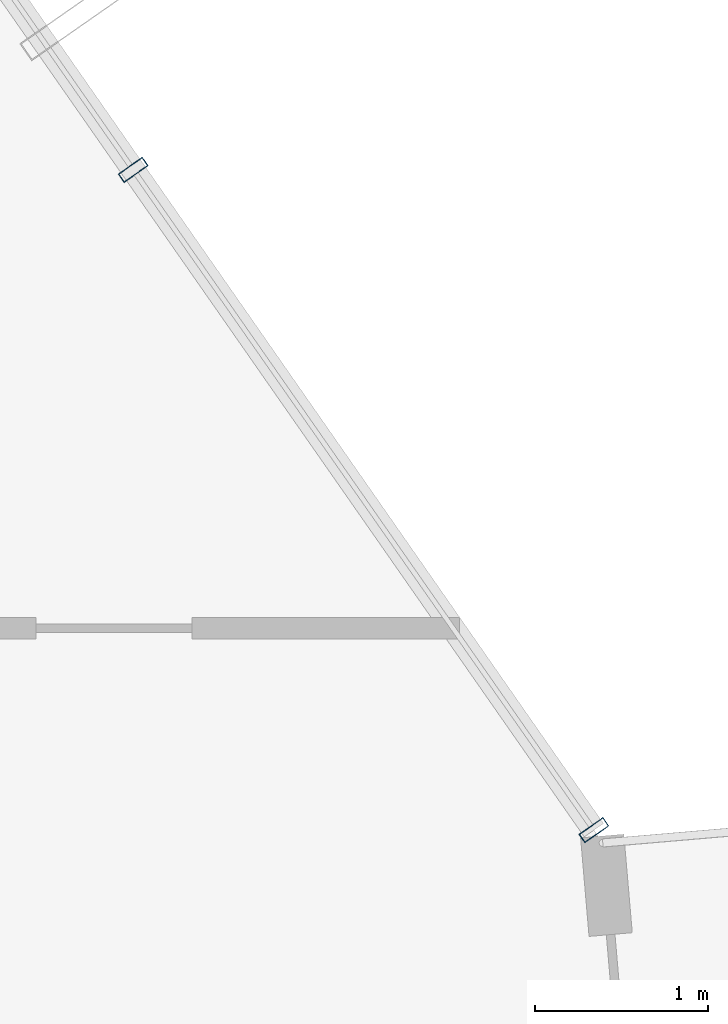
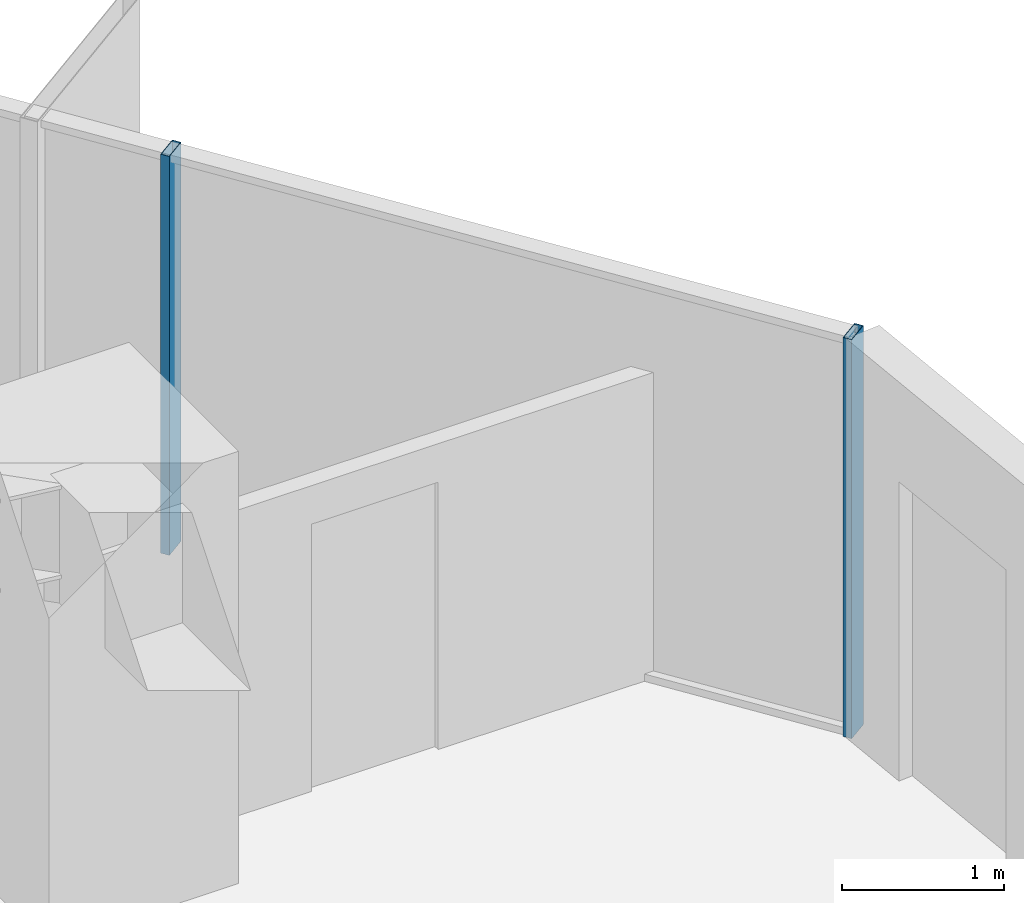
# One storey, part 20 of 37: 2 members, 1 element without a shape of its own.
"""IFC4 building model written with IfcOpenShell, lengths in metres."""

import ifcopenshell
import ifcopenshell.guid

model = None  # the IFC model being written
_history = None  # IfcOwnerHistory: only IFC2X3 demands one
_inside = {}  # id of a spatial element -> (the spatial element, [elements in it])
_under = {}  # id of a project, library or spatial element -> (it, [spatial elements below it])
_declared = {}  # id of a project -> (the project, [libraries it declares])
_typed = {}  # id of a type object -> (the type object, [elements of that type])
_made_of = {}  # id of a material, layer set ... -> (it, [elements and type objects made of it])


def new_model(schema):
    """Start an empty IFC model of exactly this schema.

    Asked for "IFC4X3", IfcOpenShell would pick the latest addendum, in which some entities
    have other attributes; the version numbers below select the first issue.
    IFC2X3 requires an IfcOwnerHistory on every rooted entity: one is made here for all.
    """
    global model, _history
    if schema == "IFC4X3":
        model = ifcopenshell.file(schema_version=(4, 3, 0, 0))
    else:
        model = ifcopenshell.file(schema=schema)
    _inside.clear()
    _under.clear()
    _declared.clear()
    _typed.clear()
    _made_of.clear()
    _history = None
    if model.schema == "IFC2X3":
        org = make("IfcOrganization", Name="unknown")
        user = make(
            "IfcPersonAndOrganization",
            ThePerson=make("IfcPerson", FamilyName="unknown"),
            TheOrganization=org,
        )
        app = make(
            "IfcApplication",
            ApplicationDeveloper=org,
            Version="unknown",
            ApplicationFullName="unknown",
            ApplicationIdentifier="unknown",
        )
        _history = make(
            "IfcOwnerHistory",
            OwningUser=user,
            OwningApplication=app,
            ChangeAction="ADDED",
            CreationDate=0,
        )
    return model


def make(cls, **values):
    """One entity of the class cls with the attributes given. An attribute that is None is left unset."""
    return model.create_entity(
        cls, **{name: value for name, value in values.items() if value is not None}
    )


def rooted(cls, **values):
    """An entity with a GlobalId (a new one), such as an element, a storey or a relation."""
    return make(cls, GlobalId=ifcopenshell.guid.new(), OwnerHistory=_history, **values)


def si_unit(unit_type, name, prefix=None):
    """IfcSIUnit, for example si_unit("LENGTHUNIT", "METRE", prefix="MILLI")."""
    return make("IfcSIUnit", UnitType=unit_type, Prefix=prefix, Name=name)


def assignment(units):
    """IfcUnitAssignment: the units of a project."""
    return None if units is None else make("IfcUnitAssignment", Units=units)


def point(xyz):
    """IfcCartesianPoint."""
    return None if xyz is None else make("IfcCartesianPoint", Coordinates=xyz)


def direction(xyz):
    """IfcDirection."""
    return None if xyz is None else make("IfcDirection", DirectionRatios=xyz)


def frame(location, z_axis=None, x_axis=None):
    """IfcAxis2Placement3D, a coordinate frame: its origin and axes. An axis left out is left unset."""
    return make(
        "IfcAxis2Placement3D",
        Location=point(location),
        Axis=direction(z_axis),
        RefDirection=direction(x_axis),
    )


def frame_2d(location, x_axis=None):
    """IfcAxis2Placement2D, a coordinate frame in the plane: its origin and x axis."""
    return make(
        "IfcAxis2Placement2D", Location=point(location), RefDirection=direction(x_axis)
    )


def origin():
    """The frame at (0, 0, 0) with its axes left unset."""
    return frame((0.0, 0.0, 0.0))


def origin_2d():
    """The frame at (0, 0) in the plane with its x axis left unset."""
    return frame_2d((0.0, 0.0))


def place(relative_to, where):
    """IfcLocalPlacement: puts the frame where relative to a parent placement (None: the world)."""
    return make(
        "IfcLocalPlacement", PlacementRelTo=relative_to, RelativePlacement=where
    )


def context(
    kind, dimensions, precision=None, world=None, true_north=None, identifier=None
):
    """IfcGeometricRepresentationContext, for example the 3D "Model" context."""
    return make(
        "IfcGeometricRepresentationContext",
        ContextIdentifier=identifier,
        ContextType=kind,
        CoordinateSpaceDimension=dimensions,
        Precision=precision,
        WorldCoordinateSystem=world,
        TrueNorth=true_north,
    )


def subcontext(parent, identifier, kind, view, scale=None):
    """IfcGeometricRepresentationSubContext, for example "Body" below "Model"."""
    return make(
        "IfcGeometricRepresentationSubContext",
        ContextIdentifier=identifier,
        ContextType=kind,
        ParentContext=parent,
        TargetScale=scale,
        TargetView=view,
    )


def project(units=None, contexts=None):
    """IfcProject with its units and contexts."""
    return rooted(
        "IfcProject",
        Name="project",
        RepresentationContexts=contexts,
        UnitsInContext=assignment(units),
    )


def spatial(cls, under=None, at=None, **own):
    """A site, building, storey or space (cls), placed at a placement, below another one or the project."""
    s = rooted(cls, ObjectPlacement=at, **own)
    if under is not None:
        _under.setdefault(under.id(), (under, []))[1].append(s)
    return s


def profile(cls, at=None, kind="AREA", **sizes):
    """A parametric profile (cls). Its sizes go by their IFC names, for example OverallWidth=200.0."""
    return make(cls, ProfileType=kind, Position=at, **sizes)


def hollow_rectangle(**sizes):
    """IfcRectangleHollowProfileDef."""
    return profile("IfcRectangleHollowProfileDef", **sizes)


def extrude(swept, where, along, depth):
    """IfcExtrudedAreaSolid: the profile swept, set in the frame where, extruded along a direction by depth."""
    return make(
        "IfcExtrudedAreaSolid",
        SweptArea=swept,
        Position=where,
        ExtrudedDirection=direction(along),
        Depth=depth,
    )


def shape(context_of_items, identifier, shape_type, items):
    """IfcShapeRepresentation: the items that make up one representation, for example the "Body"."""
    return make(
        "IfcShapeRepresentation",
        ContextOfItems=context_of_items,
        RepresentationIdentifier=identifier,
        RepresentationType=shape_type,
        Items=items,
    )


def source(mapping_origin, context_of_items, identifier, shape_type, items):
    """IfcRepresentationMap: a shape defined once, which mapped items show again and again."""
    return make(
        "IfcRepresentationMap",
        MappingOrigin=mapping_origin,
        MappedRepresentation=shape(context_of_items, identifier, shape_type, items),
    )


def transform(
    local_origin,
    x_axis=None,
    y_axis=None,
    z_axis=None,
    scale=None,
    scale2=None,
    scale3=None,
    uniform=True,
):
    """IfcCartesianTransformationOperator3D, or its non-uniform kind. x_axis, y_axis, z_axis: its Axis1, 2, 3."""
    if uniform:
        return make(
            "IfcCartesianTransformationOperator3D",
            Axis1=direction(x_axis),
            Axis2=direction(y_axis),
            LocalOrigin=point(local_origin),
            Scale=scale,
            Axis3=direction(z_axis),
        )
    return make(
        "IfcCartesianTransformationOperator3DnonUniform",
        Axis1=direction(x_axis),
        Axis2=direction(y_axis),
        LocalOrigin=point(local_origin),
        Scale=scale,
        Axis3=direction(z_axis),
        Scale2=scale2,
        Scale3=scale3,
    )


def mapped(mapping_source, mapping_target):
    """IfcMappedItem: shows the shape of a source again, moved by a transform."""
    return make(
        "IfcMappedItem", MappingSource=mapping_source, MappingTarget=mapping_target
    )


def material(Name=None, Category=None):
    """IfcMaterial."""
    return make("IfcMaterial", Name=Name, Category=Category)


def layer(
    of_material, thickness, ventilated=None, Name=None, Category=None, Priority=None
):
    """IfcMaterialLayer: one layer of a wall or slab, of a material (None: an air gap)."""
    return make(
        "IfcMaterialLayer",
        Material=of_material,
        LayerThickness=thickness,
        IsVentilated=ventilated,
        Name=Name,
        Category=Category,
        Priority=Priority,
    )


def layer_set(layers, Name=None):
    """IfcMaterialLayerSet."""
    return make("IfcMaterialLayerSet", MaterialLayers=layers, LayerSetName=Name)


def material_profile(
    of_material, cross_section, Name=None, Category=None, Priority=None
):
    """IfcMaterialProfile: a cross section and its material."""
    return make(
        "IfcMaterialProfile",
        Name=Name,
        Material=of_material,
        Profile=cross_section,
        Priority=Priority,
        Category=Category,
    )


def profile_set(profiles, Name=None, composite=None):
    """IfcMaterialProfileSet."""
    return make(
        "IfcMaterialProfileSet",
        Name=Name,
        MaterialProfiles=profiles,
        CompositeProfile=composite,
    )


def made_of(thing, what):
    """Note that an element or type object is made of a material, layer set ...; save() writes the relation."""
    if what is not None:
        _made_of.setdefault(what.id(), (what, []))[1].append(thing)
    return thing


def type_object(cls, material=None, **own):
    """A type object (cls), such as IfcWallType, which elements share."""
    return made_of(rooted(cls, **own), material)


def element(
    cls,
    number,
    at=None,
    inside=None,
    cuts=None,
    type_object=None,
    material=None,
    context=None,
    identifier="Body",
    shape_type=None,
    held_by="IfcProductDefinitionShape",
    body=None,
    shapes=None,
    **own,
):
    """One element of the class cls, such as IfcWall. Its Tag is "e" and its number.

    at: its placement. inside: the storey or other place that contains it. cuts: it is an
    opening in that element (IfcRelVoidsElement). A single representation is given by context,
    identifier, shape_type and body (its items); several are given by shapes. held_by: the class
    of the entity that holds the representations. save() writes the other relations.
    """
    e = rooted(cls, Tag="e%d" % number, ObjectPlacement=at, **own)
    if body is not None:
        shapes = [shape(context, identifier, shape_type, body)]
    if shapes is not None:
        e.Representation = make(held_by, Representations=shapes)
    if inside is not None:
        _inside.setdefault(inside.id(), (inside, []))[1].append(e)
    if cuts is not None:
        rooted(
            "IfcRelVoidsElement", RelatingBuildingElement=cuts, RelatedOpeningElement=e
        )
    if type_object is not None:
        _typed.setdefault(type_object.id(), (type_object, []))[1].append(e)
    return made_of(e, material)


def aggregate(whole, parts):
    """IfcRelAggregates: a whole, such as a stair, and the parts it consists of."""
    return rooted("IfcRelAggregates", RelatingObject=whole, RelatedObjects=parts)


def save(model, path):
    """Write the relations noted so far, then the file.

    IfcRelAggregates (storeys below a building ...), IfcRelContainedInSpatialStructure (elements
    in a storey), IfcRelDefinesByType, IfcRelAssociatesMaterial and IfcRelDeclares: one each for
    every whole, place, type object, material and project.
    """
    for whole, parts in _under.values():
        aggregate(whole, parts)
    for where, things in _inside.values():
        rooted(
            "IfcRelContainedInSpatialStructure",
            RelatedElements=things,
            RelatingStructure=where,
        )
    for kind, things in _typed.values():
        rooted("IfcRelDefinesByType", RelatedObjects=things, RelatingType=kind)
    for what, things in _made_of.values():
        rooted("IfcRelAssociatesMaterial", RelatedObjects=things, RelatingMaterial=what)
    for by, libraries in _declared.values():
        rooted("IfcRelDeclares", RelatingContext=by, RelatedDefinitions=libraries)
    model.write(path)


model = new_model("IFC4")

# Units and contexts
model_context = context("Model", 3, precision=1e-05, world=origin(), true_north=direction((0.0, 1.0)))
body_context = subcontext(model_context, "Body", "Model", "MODEL_VIEW")
ifc_project = project(units=[si_unit("LENGTHUNIT", "METRE"), si_unit("AREAUNIT", "SQUARE_METRE"), si_unit("VOLUMEUNIT", "CUBIC_METRE"), si_unit("PLANEANGLEUNIT", "RADIAN"), si_unit("MASSUNIT", "GRAM", prefix="KILO")], contexts=[model_context])

# Site, building, storey
site_placement = place(None, origin())
site = spatial("IfcSite", under=ifc_project, at=site_placement, CompositionType="ELEMENT")
building_placement = place(site_placement, origin())
building = spatial("IfcBuilding", under=site, at=building_placement, Name="Veraguas Prism Commons", CompositionType="ELEMENT")
storey_placement = place(building_placement, frame((0.0, 0.0, 40.300048828125)))
storey = spatial("IfcBuildingStorey", under=building, at=storey_placement, Name="L10", CompositionType="ELEMENT", Elevation=40.300048828125)

# Curtain wall, members
ifc_material = material(Name="Anodised aluminium EN AW-6063 T6", Category="aluminium")
ifc_layer = layer(ifc_material, 0.169921875, Name="Unitised Flush Curtain Wall Zone 1", Category="aluminium")
ifc_layer_set = layer_set([ifc_layer], Name="Anodised aluminium EN AW-6063 T6")
curtain_wall_type = type_object("IfcCurtainWallType", Name="Unitised Flush Curtain Wall Zone 1", PredefinedType="NOTDEFINED", material=ifc_layer_set)
curtain_wall_placement = place(storey_placement, origin())
curtain_wall = element("IfcCurtainWall", 1, at=curtain_wall_placement, inside=storey, type_object=curtain_wall_type, Name="Tower Facade Curtain Wall L10-F1", PredefinedType="NOTDEFINED")
ifc_material_profile = material_profile(ifc_material, hollow_rectangle(XDim=0.06005859375, YDim=0.169921875, WallThickness=0.00390625, at=origin_2d()), Name="AL60X170X4")
ifc_profile_set = profile_set([ifc_material_profile], Name="Anodised aluminium EN AW-6063 T6")
member_type = type_object("IfcMemberType", Name="Curtain Wall Mullion Lower AL 60x170x4", PredefinedType="MULLION", material=ifc_profile_set)
shared_shape = source(origin(), body_context, "Body", "SweptSolid", [
    extrude(hollow_rectangle(XDim=0.06005859375, YDim=0.169921875, WallThickness=0.00390625, at=origin_2d()), origin(), (0.0, 0.0, 1.0), 3.0),
])
member_1_placement = place(storey_placement, frame((46.374267578125, 28.254638671875, 0.0), z_axis=(0.0, 0.0, 1.0), x_axis=(-0.572145873446, 0.820151875874, 0.0)))
member_1 = element("IfcMember", 2, at=member_1_placement, type_object=member_type, Name="CW-Z1 Mullion 1", PredefinedType="MULLION", context=body_context, shape_type="MappedRepresentation", body=[
    mapped(shared_shape, transform((0.0, 0.0, 0.0), scale=1.0)),
])
member_2_placement = place(storey_placement, frame((43.718994140625, 32.060791015625, 0.0), z_axis=(0.0, 0.0, 1.0), x_axis=(-0.572145873446, 0.820151875874, 0.0)))
member_2 = element("IfcMember", 3, at=member_2_placement, type_object=member_type, Name="CW-Z1 Mullion 2", PredefinedType="MULLION", context=body_context, shape_type="MappedRepresentation", body=[
    mapped(shared_shape, transform((0.0, 0.0, 0.0), scale=1.0)),
])
aggregate(curtain_wall, [member_1, member_2])

save(model, "model.ifc")
